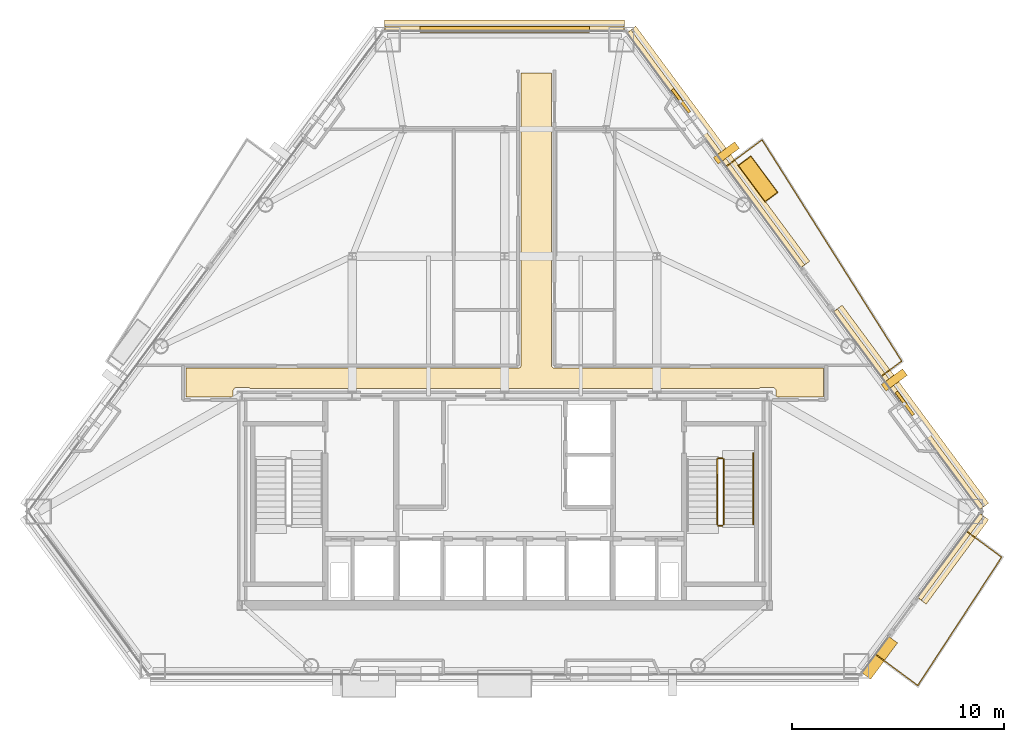
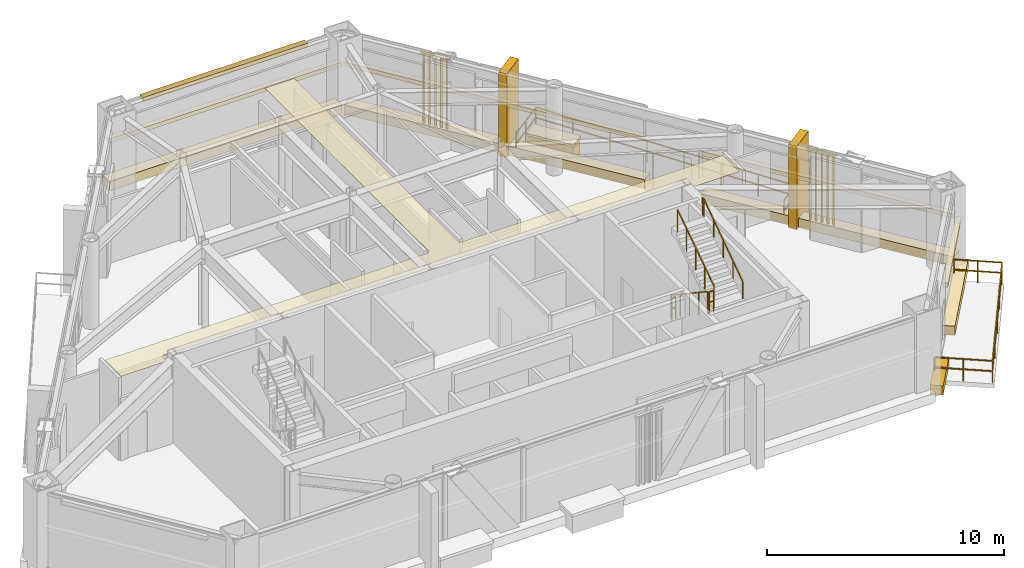
# One storey, part 11 of 11: 14 coverings, 7 railings, 3 shading devices.
"""IFC4 building model written with IfcOpenShell, lengths in metres."""

from ifc_helpers import new_model, si_unit, direction, frame, origin, origin_2d, place, context, subcontext, project, spatial, polyline, rectangle, outline, extrude, source, transform, mapped, material, layer, layer_set, type_object, type_shapes, element, save


model = new_model("IFC4")

# Units and contexts
model_context = context("Model", 3, precision=1e-05, world=origin(), true_north=direction((0.0, 1.0)))
body_context = subcontext(model_context, "Body", "Model", "MODEL_VIEW")
ifc_project = project(units=[si_unit("LENGTHUNIT", "METRE"), si_unit("AREAUNIT", "SQUARE_METRE"), si_unit("VOLUMEUNIT", "CUBIC_METRE"), si_unit("PLANEANGLEUNIT", "RADIAN"), si_unit("MASSUNIT", "GRAM", prefix="KILO")], contexts=[model_context])

# Site, building, storey
site_placement = place(None, origin())
site = spatial("IfcSite", under=ifc_project, at=site_placement, CompositionType="ELEMENT")
building_placement = place(site_placement, origin())
building = spatial("IfcBuilding", under=site, at=building_placement, Name="Talgorran Terracotta Tower", CompositionType="ELEMENT")
storey_placement = place(building_placement, frame((0.0, 0.0, 117.60009765625)))
storey = spatial("IfcBuildingStorey", under=building, at=storey_placement, Name="L30", CompositionType="ELEMENT", Elevation=117.60009765625)

# Coverings
ifc_material_1 = material(Name="Kiln-Fired Terracotta Ochre Ceramic", Category="masonry")
ifc_layer_1 = layer(ifc_material_1, 0.179931640625, Name="COV_BAGUETTE_TERRACOTTA_SCREEN")
ifc_layer_set_1 = layer_set([ifc_layer_1], Name="Kiln-Fired Terracotta Ochre Ceramic")
covering_type_1 = type_object("IfcCoveringType", Name="COV_BAGUETTE_TERRACOTTA_SCREEN", PredefinedType="CLADDING", material=ifc_layer_set_1)
covering_1_placement = place(storey_placement, frame((21.0615234375, -11.79638671875, 2.41015625), z_axis=(0.0, 0.0, 1.0), x_axis=(0.594640382106, 0.803991800934, 0.0)))
element("IfcCovering", 1, at=covering_1_placement, inside=storey, type_object=covering_type_1, Name="L30 Terracotta Baguette Solar Screen Assembly F31", PredefinedType="CLADDING", context=body_context, shape_type="SweptSolid", body=[
    extrude(rectangle(XDim=4.94189453125, YDim=0.260009765625, at=origin_2d()), origin(), (0.0, 0.0, 1.0), 0.219970703125),
])
covering_2_placement = place(storey_placement, frame((19.075927734375, -4.842529296875, 2.41015625), z_axis=(0.0, 0.0, 1.0), x_axis=(-0.594640382106, 0.803991800934, 0.0)))
element("IfcCovering", 2, at=covering_2_placement, inside=storey, type_object=covering_type_1, Name="L30 Terracotta Baguette Solar Screen Assembly F40", PredefinedType="CLADDING", context=body_context, shape_type="SweptSolid", body=[
    extrude(rectangle(XDim=11.62060546875, YDim=0.260009765625, at=origin_2d()), origin(), (0.0, 0.0, 1.0), 0.219970703125),
])
covering_3_placement = place(storey_placement, frame((9.972412109375, 7.466064453125, 2.41015625), z_axis=(0.0, 0.0, 1.0), x_axis=(-0.594640382106, 0.803991800934, 0.0)))
element("IfcCovering", 3, at=covering_3_placement, inside=storey, type_object=covering_type_1, Name="L30 Terracotta Baguette Solar Screen Assembly F41", PredefinedType="CLADDING", context=body_context, shape_type="SweptSolid", body=[
    extrude(rectangle(XDim=13.798095703125, YDim=0.260009765625, at=origin_2d()), origin(), (0.0, 0.0, 1.0), 0.219970703125),
])
covering_4_placement = place(storey_placement, frame((0.0, 13.141845703125, 2.41015625), z_axis=(0.0, 0.0, 1.0), x_axis=(-1.0, 0.0, 0.0)))
element("IfcCovering", 4, at=covering_4_placement, inside=storey, type_object=covering_type_1, Name="L30 Terracotta Baguette Solar Screen Assembly F4", PredefinedType="CLADDING", context=body_context, shape_type="SweptSolid", body=[
    extrude(rectangle(XDim=11.308349609375, YDim=0.260009765625, at=origin_2d()), origin(), (0.0, 0.0, 1.0), 0.219970703125),
])
ifc_material_2 = material(Name="Mineral Fibre Acoustic Tile")
ifc_layer_2 = layer(ifc_material_2, 0.02490234375, Name="COV_CEIL_ACOUSTIC")
ifc_layer_set_2 = layer_set([ifc_layer_2], Name="Mineral Fibre Acoustic Tile")
covering_type_2 = type_object("IfcCoveringType", Name="COV_CEIL_ACOUSTIC", PredefinedType="CEILING", material=ifc_layer_set_2)
covering_5_placement = place(storey_placement, frame((0.0, 0.0, 4.159912109375)))
element("IfcCovering", 5, at=covering_5_placement, inside=storey, type_object=covering_type_2, Name="CEIL-L30-2", PredefinedType="CEILING", context=body_context, shape_type="SweptSolid", body=[
    extrude(outline(polyline([(-12.788818359375, -3.878662109375), (-12.79296875, -3.882568359375), (-12.80078125, -3.89111328125), (-12.806396484375, -3.89794921875), (-12.813720703125, -3.907470703125), (-12.819580078125, -3.91748046875), (-12.82470703125, -3.927978515625), (-12.82861328125, -3.939208984375), (-12.83154296875, -3.95068359375), (-12.833251953125, -3.962158203125), (-12.833984375, -3.97412109375), (-12.834716796875, -4.264892578125), (-15.06494140625, -4.264892578125), (-15.06494140625, -2.885009765625), (0.64990234375, -2.885009765625), (0.66162109375, -2.884521484375), (0.67333984375, -2.8828125), (0.6845703125, -2.8798828125), (0.69287109375, -2.87744140625), (0.7041015625, -2.87353515625), (0.714599609375, -2.868408203125), (0.724853515625, -2.8623046875), (0.734375, -2.85546875), (0.742919921875, -2.847412109375), (0.7509765625, -2.8388671875), (0.756591796875, -2.83203125), (0.763671875, -2.822509765625), (0.769775390625, -2.8125), (0.774658203125, -2.8017578125), (0.77880859375, -2.79052734375), (0.781494140625, -2.779296875), (0.783203125, -2.767578125), (0.783935546875, -2.755615234375), (0.784912109375, 11.06494140625), (2.215087890625, 11.06494140625), (2.215087890625, -2.75), (2.215576171875, -2.76171875), (2.21728515625, -2.773193359375), (2.22021484375, -2.78466796875), (2.22265625, -2.79296875), (2.2265625, -2.803955078125), (2.231689453125, -2.814697265625), (2.237548828125, -2.82470703125), (2.24462890625, -2.834228515625), (2.25244140625, -2.843017578125), (2.26123046875, -2.850830078125), (2.26806640625, -2.8564453125), (2.277587890625, -2.863525390625), (2.28759765625, -2.86962890625), (2.29833984375, -2.874755859375), (2.309326171875, -2.878662109375), (2.32080078125, -2.881591796875), (2.33251953125, -2.88330078125), (2.34423828125, -2.8837890625), (15.06494140625, -2.885009765625), (15.06494140625, -4.264892578125), (12.8349609375, -4.264892578125), (12.834716796875, -3.97705078125), (12.833984375, -3.96533203125), (12.83251953125, -3.95361328125), (12.82958984375, -3.9423828125), (12.82568359375, -3.931396484375), (12.820556640625, -3.920654296875), (12.81640625, -3.9130859375), (12.810302734375, -3.90283203125), (12.803466796875, -3.893310546875), (12.79541015625, -3.884521484375), (12.78857421875, -3.87841796875), (12.785888671875, -3.872314453125), (12.77978515625, -3.8623046875), (12.772705078125, -3.852783203125), (12.764892578125, -3.843994140625), (12.756103515625, -3.836181640625), (12.74658203125, -3.8291015625), (12.736572265625, -3.8232421875), (12.725830078125, -3.818115234375), (12.71484375, -3.814208984375), (12.703369140625, -3.811279296875), (12.69189453125, -3.8095703125), (12.679931640625, -3.80908203125), (12.1201171875, -3.80908203125), (12.108154296875, -3.8095703125), (12.0966796875, -3.811279296875), (12.085205078125, -3.814208984375), (12.07421875, -3.818115234375), (12.0634765625, -3.8232421875), (12.05322265625, -3.8291015625), (12.0439453125, -3.836181640625), (12.03515625, -3.843994140625), (12.034423828125, -3.844970703125), (7.432861328125, -3.844970703125), (6.968017578125, -3.843017578125), (6.967529296875, -3.843017578125), (0.232666015625, -3.844970703125), (-0.23193359375, -3.843017578125), (-0.232421875, -3.843017578125), (-6.96728515625, -3.844970703125), (-7.431884765625, -3.843017578125), (-7.4326171875, -3.843017578125), (-12.034423828125, -3.844970703125), (-12.03515625, -3.843994140625), (-12.0439453125, -3.836181640625), (-12.05322265625, -3.8291015625), (-12.0634765625, -3.8232421875), (-12.07421875, -3.818115234375), (-12.085205078125, -3.814208984375), (-12.0966796875, -3.811279296875), (-12.108154296875, -3.8095703125), (-12.1201171875, -3.80908203125), (-12.679931640625, -3.80908203125), (-12.69189453125, -3.8095703125), (-12.703369140625, -3.811279296875), (-12.71484375, -3.814208984375), (-12.725830078125, -3.818115234375), (-12.736572265625, -3.8232421875), (-12.74658203125, -3.8291015625), (-12.756103515625, -3.836181640625), (-12.764892578125, -3.843994140625), (-12.772705078125, -3.852783203125), (-12.77978515625, -3.8623046875), (-12.785888671875, -3.872314453125), (-12.788818359375, -3.878662109375)])), origin(), (0.0, 0.0, 1.0), 0.02001953125),
])
ifc_material_3 = material(Name="Honed Limestone and Terracotta Planter", Category="masonry")
ifc_layer_3 = layer(ifc_material_3, 0.1201171875, Name="COV_PLANTER_BOX")
ifc_layer_set_3 = layer_set([ifc_layer_3], Name="Honed Limestone and Terracotta Planter")
covering_type_3 = type_object("IfcCoveringType", Name="COV_PLANTER_BOX", PredefinedType="CLADDING", material=ifc_layer_set_3)
covering_6_placement = place(storey_placement, frame((11.9765625, 6.051513671875, -0.02001953125), z_axis=(0.0, 0.0, 1.0), x_axis=(-0.594640382106, 0.803991800934, 0.0)))
element("IfcCovering", 6, at=covering_6_placement, inside=storey, type_object=covering_type_3, Name="L30 Staggered Balcony Planter Box BAL-NE", PredefinedType="CLADDING", context=body_context, shape_type="SweptSolid", body=[
    extrude(rectangle(XDim=2.10009765625, YDim=0.719970703125, at=origin_2d()), origin(), (0.0, 0.0, 1.0), 0.860107421875),
])
ifc_material_4 = material(Name="Kiln-Fired Terracotta Planter Rim", Category="masonry")
ifc_layer_4 = layer(ifc_material_4, 0.10009765625, Name="COV_PLANTER_RIM")
ifc_layer_set_4 = layer_set([ifc_layer_4], Name="Kiln-Fired Terracotta Planter Rim")
covering_type_4 = type_object("IfcCoveringType", Name="COV_PLANTER_RIM", PredefinedType="CLADDING", material=ifc_layer_set_4)
covering_7_placement = place(storey_placement, frame((11.9765625, 6.051513671875, 0.7998046875), z_axis=(0.0, 0.0, 1.0), x_axis=(-0.594640382106, 0.803991800934, 0.0)))
element("IfcCovering", 7, at=covering_7_placement, inside=storey, type_object=covering_type_4, Name="L30 Balcony Planter Terracotta Rim BAL-NE", PredefinedType="CLADDING", context=body_context, shape_type="SweptSolid", body=[
    extrude(rectangle(XDim=2.179931640625, YDim=0.780029296875, at=origin_2d()), origin(), (0.0, 0.0, 1.0), 0.1201171875),
])
ifc_material_5 = material(Name="Honed Limestone Cladding", Category="masonry")
ifc_layer_5 = layer(ifc_material_5, 0.094970703125, Name="COV_PORTAL_LIME")
ifc_layer_set_5 = layer_set([ifc_layer_5], Name="Honed Limestone Cladding")
covering_type_5 = type_object("IfcCoveringType", Name="COV_PORTAL_LIME", PredefinedType="CLADDING", material=ifc_layer_set_5)
covering_8_placement = place(storey_placement, frame((17.707763671875, -16.566650390625, -0.0400390625), z_axis=(0.0, 0.0, 1.0), x_axis=(0.594640382106, 0.803991800934, 0.0)))
element("IfcCovering", 8, at=covering_8_placement, inside=storey, type_object=covering_type_5, Name="L30 Striped Postmodern Portal Cladding Band F30", PredefinedType="CLADDING", context=body_context, shape_type="SweptSolid", body=[
    extrude(rectangle(XDim=2.136962890625, YDim=0.56005859375, at=origin_2d()), origin(), (0.0, 0.0, 1.0), 0.47998046875),
])
covering_9_placement = place(storey_placement, frame((21.17431640625, -11.8798828125, -0.0400390625), z_axis=(0.0, 0.0, 1.0), x_axis=(0.594640382106, 0.803991800934, 0.0)))
element("IfcCovering", 9, at=covering_9_placement, inside=storey, type_object=covering_type_5, Name="L30 Striped Postmodern Portal Cladding Band F31", PredefinedType="CLADDING", context=body_context, shape_type="SweptSolid", body=[
    extrude(rectangle(XDim=4.9619140625, YDim=0.56005859375, at=origin_2d()), origin(), (0.0, 0.0, 1.0), 0.47998046875),
])
covering_10_placement = place(storey_placement, frame((19.1884765625, -4.75927734375, -0.0400390625), z_axis=(0.0, 0.0, 1.0), x_axis=(-0.594640382106, 0.803991800934, 0.0)))
element("IfcCovering", 10, at=covering_10_placement, inside=storey, type_object=covering_type_5, Name="L30 Striped Postmodern Portal Cladding Band F40", PredefinedType="CLADDING", context=body_context, shape_type="SweptSolid", body=[
    extrude(rectangle(XDim=11.640625, YDim=0.56005859375, at=origin_2d()), origin(), (0.0, 0.0, 1.0), 0.47998046875),
])
covering_11_placement = place(storey_placement, frame((10.0849609375, 7.54931640625, -0.0400390625), z_axis=(0.0, 0.0, 1.0), x_axis=(-0.594640382106, 0.803991800934, 0.0)))
element("IfcCovering", 11, at=covering_11_placement, inside=storey, type_object=covering_type_5, Name="L30 Striped Postmodern Portal Cladding Band F41", PredefinedType="CLADDING", context=body_context, shape_type="SweptSolid", body=[
    extrude(rectangle(XDim=13.818115234375, YDim=0.56005859375, at=origin_2d()), origin(), (0.0, 0.0, 1.0), 0.47998046875),
])
covering_12_placement = place(storey_placement, frame((0.0, 13.281982421875, -0.0400390625), z_axis=(0.0, 0.0, 1.0), x_axis=(-1.0, 0.0, 0.0)))
element("IfcCovering", 12, at=covering_12_placement, inside=storey, type_object=covering_type_5, Name="L30 Striped Postmodern Portal Cladding Band F4", PredefinedType="CLADDING", context=body_context, shape_type="SweptSolid", body=[
    extrude(rectangle(XDim=11.328369140625, YDim=0.56005859375, at=origin_2d()), origin(), (0.0, 0.0, 1.0), 0.47998046875),
])
covering_13_placement = place(storey_placement, frame((10.483154296875, 7.280029296875, -0.05029296875), z_axis=(0.0, 0.0, 1.0), x_axis=(-0.594640382106, 0.803991800934, 0.0)))
element("IfcCovering", 13, at=covering_13_placement, inside=storey, type_object=covering_type_5, Name="L30 White Striped Portal Fin F3-2", PredefinedType="CLADDING", context=body_context, shape_type="SweptSolid", body=[
    extrude(rectangle(XDim=0.3798828125, YDim=1.25, at=origin_2d()), origin(), (0.0, 0.0, 1.0), 4.300048828125),
])
ifc_material_6 = material(Name="Kiln-Fired Terracotta Cladding", Category="masonry")
ifc_layer_6 = layer(ifc_material_6, 0.090087890625, Name="COV_PORTAL_TERRA")
ifc_layer_set_6 = layer_set([ifc_layer_6], Name="Kiln-Fired Terracotta Cladding")
covering_type_6 = type_object("IfcCoveringType", Name="COV_PORTAL_TERRA", PredefinedType="CLADDING", material=ifc_layer_set_6)
covering_14_placement = place(storey_placement, frame((18.4169921875, -3.447021484375, -0.05029296875), z_axis=(0.0, 0.0, 1.0), x_axis=(-0.594640382106, 0.803991800934, 0.0)))
element("IfcCovering", 14, at=covering_14_placement, inside=storey, type_object=covering_type_6, Name="L30 Terracotta Striped Portal Fin F3-1", PredefinedType="CLADDING", context=body_context, shape_type="SweptSolid", body=[
    extrude(rectangle(XDim=0.3798828125, YDim=1.25, at=origin_2d()), origin(), (0.0, 0.0, 1.0), 4.300048828125),
])

# Railings
ifc_material_7 = material(Name="Laminated Glass and Stainless Steel 316", Category="steel")
railing_type_1 = type_object("IfcRailingType", Name="RL_BALCONY_1150", PredefinedType="BALUSTRADE", material=ifc_material_7)
railing_1_placement = place(storey_placement, frame((17.810791015625, -3.266357421875, 0.0)))
element("IfcRailing", 15, at=railing_1_placement, inside=storey, type_object=railing_type_1, Name="RL-L30-BAL-BAL-NE", PredefinedType="BALUSTRADE", context=body_context, shape_type="SweptSolid", body=[
    extrude(rectangle(XDim=0.048095703125, YDim=0.048095703125, at=origin_2d()), frame((0.0, 0.0, 1.1259765625), z_axis=(0.803979525479, 0.594656978947, 0.0), x_axis=(-0.594656978947, 0.803979525479, 0.0)), (0.0, 0.0, 1.0), 1.187255859375),
    extrude(rectangle(XDim=0.048095703125, YDim=0.048095703125, at=origin_2d()), frame((0.0, 0.0, 0.597900390625), z_axis=(0.803979525479, 0.594656978947, 0.0), x_axis=(-0.594656978947, 0.803979525479, 0.0)), (0.0, 0.0, 1.0), 1.187255859375),
    extrude(rectangle(XDim=0.048095703125, YDim=0.048095703125, at=origin_2d()), frame((0.95458984375, 0.7060546875, 1.1259765625), z_axis=(-0.533494421318, 0.845803583832, 0.0), x_axis=(-0.845803583832, -0.533494421318, 0.0)), (0.0, 0.0, 1.0), 12.364501953125),
    extrude(rectangle(XDim=0.048095703125, YDim=0.048095703125, at=origin_2d()), frame((0.95458984375, 0.7060546875, 0.597900390625), z_axis=(-0.533494421318, 0.845803583832, 0.0), x_axis=(-0.845803583832, -0.533494421318, 0.0)), (0.0, 0.0, 1.0), 12.364501953125),
    extrude(rectangle(XDim=0.048095703125, YDim=0.048095703125, at=origin_2d()), frame((-5.641845703125, 11.1640625, 1.1259765625), z_axis=(-0.803995114748, -0.594635901592, 0.0), x_axis=(0.594635901592, -0.803995114748, 0.0)), (0.0, 0.0, 1.0), 2.1025390625),
    extrude(rectangle(XDim=0.048095703125, YDim=0.048095703125, at=origin_2d()), frame((-5.641845703125, 11.1640625, 0.597900390625), z_axis=(-0.803995114748, -0.594635901592, 0.0), x_axis=(0.594635901592, -0.803995114748, 0.0)), (0.0, 0.0, 1.0), 2.1025390625),
    extrude(rectangle(XDim=0.0419921875, YDim=0.0419921875, at=origin_2d()), origin(), (0.0, 0.0, 1.0), 1.101806640625),
    extrude(rectangle(XDim=0.0419921875, YDim=0.0419921875, at=origin_2d()), frame((0.95458984375, 0.7060546875, 0.0)), (0.0, 0.0, 1.0), 1.101806640625),
    extrude(rectangle(XDim=0.0419921875, YDim=0.0419921875, at=origin_2d()), frame((0.01220703125, 2.199951171875, 0.0)), (0.0, 0.0, 1.0), 1.101806640625),
    extrude(rectangle(XDim=0.0419921875, YDim=0.0419921875, at=origin_2d()), frame((-0.93017578125, 3.694091796875, 0.0)), (0.0, 0.0, 1.0), 1.101806640625),
    extrude(rectangle(XDim=0.0419921875, YDim=0.0419921875, at=origin_2d()), frame((-1.87255859375, 5.18798828125, 0.0)), (0.0, 0.0, 1.0), 1.101806640625),
    extrude(rectangle(XDim=0.0419921875, YDim=0.0419921875, at=origin_2d()), frame((-2.814697265625, 6.68212890625, 0.0)), (0.0, 0.0, 1.0), 1.101806640625),
    extrude(rectangle(XDim=0.0419921875, YDim=0.0419921875, at=origin_2d()), frame((-3.757080078125, 8.176025390625, 0.0)), (0.0, 0.0, 1.0), 1.101806640625),
    extrude(rectangle(XDim=0.0419921875, YDim=0.0419921875, at=origin_2d()), frame((-4.699462890625, 9.670166015625, 0.0)), (0.0, 0.0, 1.0), 1.101806640625),
    extrude(rectangle(XDim=0.0419921875, YDim=0.0419921875, at=origin_2d()), frame((-5.641845703125, 11.1640625, 0.0)), (0.0, 0.0, 1.0), 1.101806640625),
    extrude(rectangle(XDim=0.0419921875, YDim=0.0419921875, at=origin_2d()), frame((-6.487060546875, 10.5390625, 0.0)), (0.0, 0.0, 1.0), 1.101806640625),
    extrude(rectangle(XDim=0.0419921875, YDim=0.0419921875, at=origin_2d()), frame((-7.332275390625, 9.913818359375, 0.0)), (0.0, 0.0, 1.0), 1.101806640625),
])
railing_2_placement = place(storey_placement, frame((17.541748046875, -16.4208984375, 0.0)))
element("IfcRailing", 16, at=railing_2_placement, inside=storey, type_object=railing_type_1, Name="RL-L30-BAL-BAL-SE", PredefinedType="BALUSTRADE", context=body_context, shape_type="SweptSolid", body=[
    extrude(rectangle(XDim=0.048095703125, YDim=0.048095703125, at=origin_2d()), frame((0.0, 0.0, 1.1259765625), z_axis=(0.8040035309, -0.594624522115, 0.0), x_axis=(0.594624522115, 0.8040035309, 0.0)), (0.0, 0.0, 1.0), 2.4697265625),
    extrude(rectangle(XDim=0.048095703125, YDim=0.048095703125, at=origin_2d()), frame((0.0, 0.0, 0.597900390625), z_axis=(0.8040035309, -0.594624522115, 0.0), x_axis=(0.594624522115, 0.8040035309, 0.0)), (0.0, 0.0, 1.0), 2.4697265625),
    extrude(rectangle(XDim=0.048095703125, YDim=0.048095703125, at=origin_2d()), frame((1.985595703125, -1.468505859375, 1.1259765625), z_axis=(0.546728160726, 0.837310168497, 0.0), x_axis=(-0.837310168497, 0.546728160726, 0.0)), (0.0, 0.0, 1.0), 7.24560546875),
    extrude(rectangle(XDim=0.048095703125, YDim=0.048095703125, at=origin_2d()), frame((1.985595703125, -1.468505859375, 0.597900390625), z_axis=(0.546728160726, 0.837310168497, 0.0), x_axis=(-0.837310168497, 0.546728160726, 0.0)), (0.0, 0.0, 1.0), 7.24560546875),
    extrude(rectangle(XDim=0.048095703125, YDim=0.048095703125, at=origin_2d()), frame((5.947021484375, 4.598388671875, 1.1259765625), z_axis=(-0.803933143977, 0.59471968188, 0.0), x_axis=(-0.59471968188, -0.803933143977, 0.0)), (0.0, 0.0, 1.0), 2.046875),
    extrude(rectangle(XDim=0.048095703125, YDim=0.048095703125, at=origin_2d()), frame((5.947021484375, 4.598388671875, 0.597900390625), z_axis=(-0.803933143977, 0.59471968188, 0.0), x_axis=(-0.59471968188, -0.803933143977, 0.0)), (0.0, 0.0, 1.0), 2.046875),
    extrude(rectangle(XDim=0.0419921875, YDim=0.0419921875, at=origin_2d()), origin(), (0.0, 0.0, 1.0), 1.101806640625),
    extrude(rectangle(XDim=0.0419921875, YDim=0.0419921875, at=origin_2d()), frame((0.99267578125, -0.734375, 0.0)), (0.0, 0.0, 1.0), 1.101806640625),
    extrude(rectangle(XDim=0.0419921875, YDim=0.0419921875, at=origin_2d()), frame((1.985595703125, -1.468505859375, 0.0)), (0.0, 0.0, 1.0), 1.101806640625),
    extrude(rectangle(XDim=0.0419921875, YDim=0.0419921875, at=origin_2d()), frame((2.97607421875, 0.04833984375, 0.0)), (0.0, 0.0, 1.0), 1.101806640625),
    extrude(rectangle(XDim=0.0419921875, YDim=0.0419921875, at=origin_2d()), frame((3.96630859375, 1.56494140625, 0.0)), (0.0, 0.0, 1.0), 1.101806640625),
    extrude(rectangle(XDim=0.0419921875, YDim=0.0419921875, at=origin_2d()), frame((4.95654296875, 3.08154296875, 0.0)), (0.0, 0.0, 1.0), 1.101806640625),
    extrude(rectangle(XDim=0.0419921875, YDim=0.0419921875, at=origin_2d()), frame((5.947021484375, 4.598388671875, 0.0)), (0.0, 0.0, 1.0), 1.101806640625),
    extrude(rectangle(XDim=0.0419921875, YDim=0.0419921875, at=origin_2d()), frame((5.124267578125, 5.20703125, 0.0)), (0.0, 0.0, 1.0), 1.101806640625),
    extrude(rectangle(XDim=0.0419921875, YDim=0.0419921875, at=origin_2d()), frame((4.301513671875, 5.815673828125, 0.0)), (0.0, 0.0, 1.0), 1.101806640625),
])
ifc_material_8 = material(Name="Steel S355 (300PLUS)", Category="steel")
railing_type_2 = type_object("IfcRailingType", Name="RL_HANDRAIL_920", PredefinedType="HANDRAIL", material=ifc_material_8)
railing_3_placement = place(storey_placement, frame((11.75, -10.280029296875, 2.4375)))
element("IfcRailing", 17, at=railing_3_placement, inside=storey, type_object=railing_type_2, Name="L30 ST-02 stair handrail 2", PredefinedType="HANDRAIL", context=body_context, shape_type="SweptSolid", body=[
    extrude(rectangle(XDim=0.048095703125, YDim=0.048095703125, at=origin_2d()), frame((0.0, 0.0, 0.89599609375), z_axis=(0.0, 0.82301009837, 0.568026740551), x_axis=(-1.0, 0.0, 0.0)), (0.0, 0.0, 1.0), 3.961181640625),
    extrude(rectangle(XDim=0.048095703125, YDim=0.048095703125, at=origin_2d()), frame((0.0, 3.260009765625, 3.14599609375), z_axis=(0.0, 1.0, 0.0), x_axis=(-1.0, 0.0, 0.0)), (0.0, 0.0, 1.0), 0.1201171875),
    extrude(rectangle(XDim=0.0419921875, YDim=0.0419921875, at=origin_2d()), origin(), (0.0, 0.0, 1.0), 0.871826171875),
    extrude(rectangle(XDim=0.0419921875, YDim=0.0419921875, at=origin_2d()), frame((0.0, 0.81494140625, 0.5625)), (0.0, 0.0, 1.0), 0.871826171875),
    extrude(rectangle(XDim=0.0419921875, YDim=0.0419921875, at=origin_2d()), frame((0.0, 1.6298828125, 1.125)), (0.0, 0.0, 1.0), 0.871826171875),
    extrude(rectangle(XDim=0.0419921875, YDim=0.0419921875, at=origin_2d()), frame((0.0, 2.445068359375, 1.6875)), (0.0, 0.0, 1.0), 0.871826171875),
    extrude(rectangle(XDim=0.0419921875, YDim=0.0419921875, at=origin_2d()), frame((0.0, 3.260009765625, 2.25)), (0.0, 0.0, 1.0), 0.871826171875),
    extrude(rectangle(XDim=0.0419921875, YDim=0.0419921875, at=origin_2d()), frame((0.0, 3.380126953125, 2.25)), (0.0, 0.0, 1.0), 0.871826171875),
])
railing_type_3 = type_object("IfcRailingType", Name="RL_STAIR_GUARD", PredefinedType="GUARDRAIL", material=ifc_material_8)
railing_4_placement = place(storey_placement, frame((10.050048828125, -7.199951171875, 0.1875)))
element("IfcRailing", 18, at=railing_4_placement, inside=storey, type_object=railing_type_3, Name="L30 ST-02 stair guard 1", PredefinedType="GUARDRAIL", context=body_context, shape_type="SweptSolid", body=[
    extrude(rectangle(XDim=0.048095703125, YDim=0.048095703125, at=origin_2d()), frame((0.0, 0.0, 1.15576171875), z_axis=(0.0, -0.830913701846, 0.55640131208), x_axis=(1.0, 0.0, 0.0)), (0.0, 0.0, 1.0), 3.706787109375),
    extrude(rectangle(XDim=0.0419921875, YDim=0.0419921875, at=origin_2d()), origin(), (0.0, 0.0, 1.0), 1.1318359375),
    extrude(rectangle(XDim=0.0419921875, YDim=0.0419921875, at=origin_2d()), frame((0.0, -0.77001953125, 0.515625)), (0.0, 0.0, 1.0), 1.1318359375),
    extrude(rectangle(XDim=0.0419921875, YDim=0.0419921875, at=origin_2d()), frame((0.0, -1.5400390625, 1.03125)), (0.0, 0.0, 1.0), 1.1318359375),
    extrude(rectangle(XDim=0.0419921875, YDim=0.0419921875, at=origin_2d()), frame((0.0, -2.31005859375, 1.546875)), (0.0, 0.0, 1.0), 1.1318359375),
    extrude(rectangle(XDim=0.0419921875, YDim=0.0419921875, at=origin_2d()), frame((0.0, -3.080078125, 2.0625)), (0.0, 0.0, 1.0), 1.1318359375),
])
railing_5_placement = place(storey_placement, frame((10.10009765625, -10.330078125, 2.25)))
element("IfcRailing", 19, at=railing_5_placement, inside=storey, type_object=railing_type_3, Name="L30 ST-02 stair guard 2", PredefinedType="GUARDRAIL", context=body_context, shape_type="SweptSolid", body=[
    extrude(rectangle(XDim=0.048095703125, YDim=0.048095703125, at=origin_2d()), frame((0.0, 0.0, 1.15576171875), z_axis=(1.0, 0.0, 0.0), x_axis=(0.0, 1.0, 0.0)), (0.0, 0.0, 1.0), 0.199951171875),
    extrude(rectangle(XDim=0.048095703125, YDim=0.048095703125, at=origin_2d()), frame((0.0, 0.0, 0.613525390625), z_axis=(1.0, 0.0, 0.0), x_axis=(0.0, 1.0, 0.0)), (0.0, 0.0, 1.0), 0.199951171875),
    extrude(rectangle(XDim=0.0419921875, YDim=0.0419921875, at=origin_2d()), origin(), (0.0, 0.0, 1.0), 1.1318359375),
    extrude(rectangle(XDim=0.0419921875, YDim=0.0419921875, at=origin_2d()), frame((0.199951171875, 0.0, 0.0)), (0.0, 0.0, 1.0), 1.1318359375),
])
railing_6_placement = place(storey_placement, frame((10.35009765625, -10.280029296875, 2.4375)))
element("IfcRailing", 20, at=railing_6_placement, inside=storey, type_object=railing_type_3, Name="L30 ST-02 stair guard 3", PredefinedType="GUARDRAIL", context=body_context, shape_type="SweptSolid", body=[
    extrude(rectangle(XDim=0.048095703125, YDim=0.048095703125, at=origin_2d()), frame((0.0, 0.0, 1.15576171875), z_axis=(0.0, 0.830913701846, 0.55640131208), x_axis=(-1.0, 0.0, 0.0)), (0.0, 0.0, 1.0), 3.706787109375),
    extrude(rectangle(XDim=0.0419921875, YDim=0.0419921875, at=origin_2d()), origin(), (0.0, 0.0, 1.0), 1.1318359375),
    extrude(rectangle(XDim=0.0419921875, YDim=0.0419921875, at=origin_2d()), frame((0.0, 0.77001953125, 0.515625)), (0.0, 0.0, 1.0), 1.1318359375),
    extrude(rectangle(XDim=0.0419921875, YDim=0.0419921875, at=origin_2d()), frame((0.0, 1.5400390625, 1.03125)), (0.0, 0.0, 1.0), 1.1318359375),
    extrude(rectangle(XDim=0.0419921875, YDim=0.0419921875, at=origin_2d()), frame((0.0, 2.31005859375, 1.546875)), (0.0, 0.0, 1.0), 1.1318359375),
    extrude(rectangle(XDim=0.0419921875, YDim=0.0419921875, at=origin_2d()), frame((0.0, 3.080078125, 2.0625)), (0.0, 0.0, 1.0), 1.1318359375),
])
railing_7_placement = place(storey_placement, frame((10.10009765625, -7.14990234375, 0.0)))
element("IfcRailing", 21, at=railing_7_placement, inside=storey, type_object=railing_type_3, Name="L30 ST-02 stair guard 4", PredefinedType="GUARDRAIL", context=body_context, shape_type="SweptSolid", body=[
    extrude(rectangle(XDim=0.048095703125, YDim=0.048095703125, at=origin_2d()), frame((0.0, 0.0, 1.15576171875), z_axis=(1.0, 0.0, 0.0), x_axis=(0.0, 1.0, 0.0)), (0.0, 0.0, 1.0), 0.199951171875),
    extrude(rectangle(XDim=0.048095703125, YDim=0.048095703125, at=origin_2d()), frame((0.0, 0.0, 0.613525390625), z_axis=(1.0, 0.0, 0.0), x_axis=(0.0, 1.0, 0.0)), (0.0, 0.0, 1.0), 0.199951171875),
    extrude(rectangle(XDim=0.0419921875, YDim=0.0419921875, at=origin_2d()), origin(), (0.0, 0.0, 1.0), 1.1318359375),
    extrude(rectangle(XDim=0.0419921875, YDim=0.0419921875, at=origin_2d()), frame((0.199951171875, 0.0, 0.0)), (0.0, 0.0, 1.0), 1.1318359375),
])

# Shading devices
ifc_material_9 = material(Name="Kiln-Fired Terracotta", Category="masonry")
ifc_layer_7 = layer(ifc_material_9, 0.139892578125, Name="SHD_BAGUETTE_TERRA")
ifc_layer_set_7 = layer_set([ifc_layer_7], Name="Kiln-Fired Terracotta")
shading_device_type_1 = type_object("IfcShadingDeviceType", Name="SHD_BAGUETTE_TERRA", PredefinedType="JALOUSIE", material=ifc_layer_set_7)
shared_shape_1 = source(origin(), body_context, "Body", "SweptSolid", [
    extrude(rectangle(XDim=1.35009765625, YDim=0.139892578125, at=origin_2d()), origin(), (0.0, 0.0, 1.0), 0.054931640625),
    extrude(rectangle(XDim=1.35009765625, YDim=0.139892578125, at=origin_2d()), frame((0.0, 0.0, 3.64501953125)), (0.0, 0.0, 1.0), 0.054931640625),
    extrude(rectangle(XDim=0.074951171875, YDim=0.139892578125, at=origin_2d()), frame((-0.53515625, 0.0, 0.054931640625), z_axis=(0.0, 0.0, 1.0), x_axis=(0.866025403784, 0.5, 0.0)), (0.0, 0.0, 1.0), 3.590087890625),
    extrude(rectangle(XDim=0.074951171875, YDim=0.139892578125, at=origin_2d()), frame((-0.267578125, 0.0, 0.054931640625), z_axis=(0.0, 0.0, 1.0), x_axis=(0.866025403784, 0.5, 0.0)), (0.0, 0.0, 1.0), 3.590087890625),
    extrude(rectangle(XDim=0.074951171875, YDim=0.139892578125, at=origin_2d()), frame((0.0, 0.0, 0.054931640625), z_axis=(0.0, 0.0, 1.0), x_axis=(0.866025403784, 0.5, 0.0)), (0.0, 0.0, 1.0), 3.590087890625),
    extrude(rectangle(XDim=0.074951171875, YDim=0.139892578125, at=origin_2d()), frame((0.267578125, 0.0, 0.054931640625), z_axis=(0.0, 0.0, 1.0), x_axis=(0.866025403784, 0.5, 0.0)), (0.0, 0.0, 1.0), 3.590087890625),
    extrude(rectangle(XDim=0.074951171875, YDim=0.139892578125, at=origin_2d()), frame((0.53515625, 0.0, 0.054931640625), z_axis=(0.0, 0.0, 1.0), x_axis=(0.866025403784, 0.5, 0.0)), (0.0, 0.0, 1.0), 3.590087890625),
])
type_shapes(shading_device_type_1, [shared_shape_1])
for number, where, z_axis, x_axis, name in (
    (22, (18.916015625, -4.55908203125, 0.35009765625), (0.0, 0.0, 1.0), (-0.594640382106, 0.803991800934, 0.0), "BAG-L30-F40"),
    (23, (8.339111328125, 9.741943359375, 0.35009765625), (0.0, 0.0, 1.0), (-0.594640382106, 0.803991800934, 0.0), "BAG-L30-F41"),
):
    element("IfcShadingDevice", number, at=place(storey_placement, frame(where, z_axis=z_axis, x_axis=x_axis)), inside=storey, type_object=shading_device_type_1, Name=name, PredefinedType="JALOUSIE", context=body_context, shape_type="MappedRepresentation", body=[
        mapped(shared_shape_1, transform((0.0, 0.0, 0.0), scale=1.0)),
    ])
ifc_layer_8 = layer(ifc_material_9, 0.280029296875, Name="SHD_SUNSHADE_TERRA")
ifc_layer_set_8 = layer_set([ifc_layer_8], Name="Kiln-Fired Terracotta")
shading_device_type_2 = type_object("IfcShadingDeviceType", Name="SHD_SUNSHADE_TERRA", PredefinedType="AWNING", material=ifc_layer_set_8)
shared_shape_2 = source(origin(), body_context, "Body", "SweptSolid", [
    extrude(rectangle(XDim=8.013916015625, YDim=0.280029296875, at=origin_2d()), origin(), (0.0, 0.0, 1.0), 0.199951171875),
])
type_shapes(shading_device_type_2, [shared_shape_2])
shading_device_placement = place(storey_placement, frame((0.0, 13.121826171875, 4.009765625), z_axis=(0.0, 0.0, 1.0), x_axis=(-1.0, 0.0, 0.0)))
element("IfcShadingDevice", 24, at=shading_device_placement, inside=storey, type_object=shading_device_type_2, Name="SHD-BROW-L30-F4", PredefinedType="AWNING", context=body_context, shape_type="MappedRepresentation", body=[
    mapped(shared_shape_2, transform((0.0, 0.0, 0.0), scale=1.0)),
])

save(model, "model.ifc")
